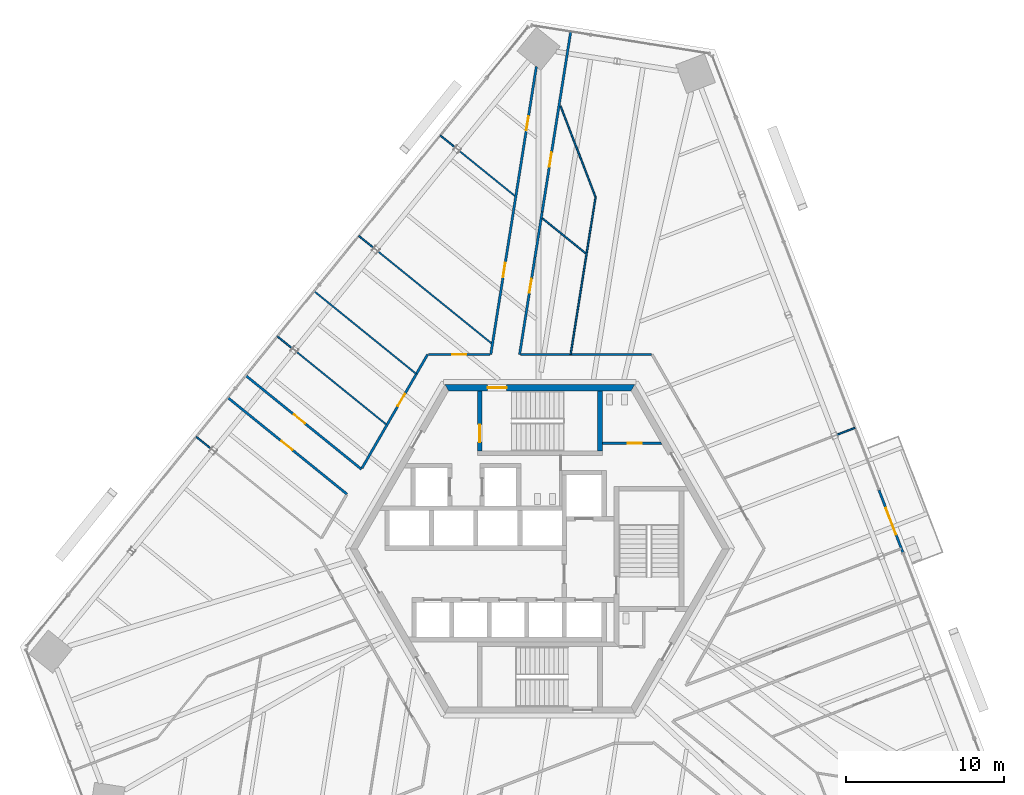
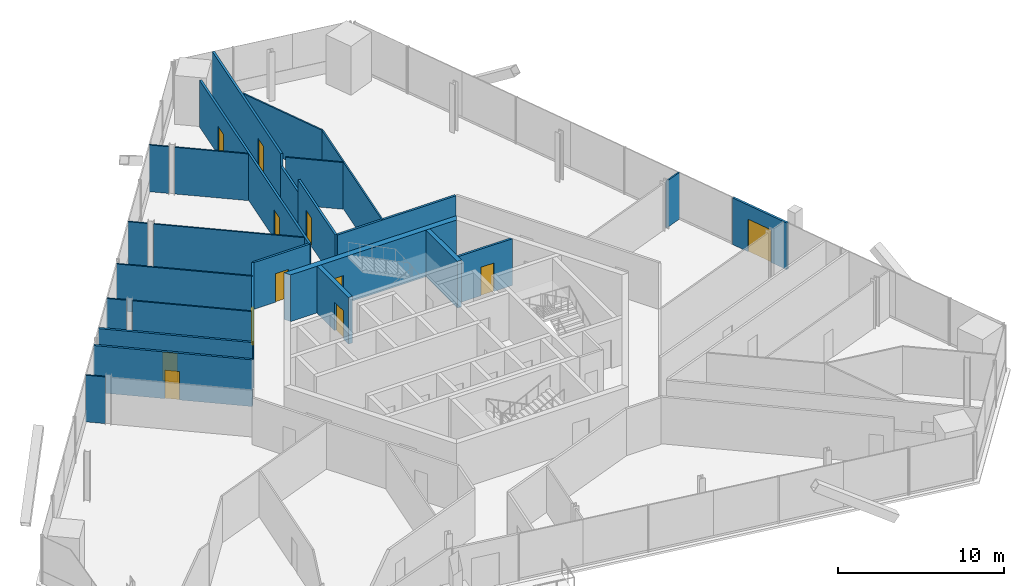
# One storey, part 14 of 19: 26 walls, 12 doors, 12 openings.
"""IFC4 building model written with IfcOpenShell, lengths in metres."""

from ifc_helpers import new_model, si_unit, direction, frame, frame_2d, origin, place, context, subcontext, project, spatial, polyline, rectangle, outline, extrude, source, transform, mapped, material, layer, layer_set, type_object, element, fill, save


model = new_model("IFC4")

# Units and contexts
model_context = context("Model", 3, precision=1e-05, world=origin(), true_north=direction((0.0, 1.0)))
body_context = subcontext(model_context, "Body", "Model", "MODEL_VIEW")
ifc_project = project(units=[si_unit("LENGTHUNIT", "METRE"), si_unit("AREAUNIT", "SQUARE_METRE"), si_unit("VOLUMEUNIT", "CUBIC_METRE"), si_unit("PLANEANGLEUNIT", "RADIAN"), si_unit("MASSUNIT", "GRAM", prefix="KILO")], contexts=[model_context])

# Site, building, storey
site_placement = place(None, origin())
site = spatial("IfcSite", under=ifc_project, at=site_placement, CompositionType="ELEMENT")
building_placement = place(site_placement, origin())
building = spatial("IfcBuilding", under=site, at=building_placement, Name="Triune Harvest Tower", CompositionType="ELEMENT")
storey_placement = place(building_placement, frame((0.0, 0.0, 142.5)))
storey = spatial("IfcBuildingStorey", under=building, at=storey_placement, Name="L36", CompositionType="ELEMENT", Elevation=142.5)

# Wall
ifc_material_1 = material(Name="Gypsum board on steel studs", Category="steel")
ifc_layer_1 = layer(ifc_material_1, 0.10009765625)
ifc_layer_set_1 = layer_set([ifc_layer_1], Name="Gypsum board on steel studs")
wall_type_1 = type_object("IfcWallType", Name="Partition 100 mm", PredefinedType="PARTITIONING", material=ifc_layer_set_1)
wall_1_placement = place(storey_placement, frame((-14.27734375, 16.29541015625, 0.0), z_axis=(0.0, 0.0, 1.0), x_axis=(0.777131453584, -0.629338306358, 0.0)))
element("IfcWall", 1, at=wall_1_placement, inside=storey, type_object=wall_type_1, Name="Partition L36 015", PredefinedType="PARTITIONING", context=body_context, shape_type="SweptSolid", body=[
    extrude(rectangle(XDim=8.322265625, YDim=0.10009765625, at=frame_2d((4.1611328125, 0.0))), origin(), (0.0, 0.0, 1.0), 3.43994140625),
])

# Wall, opening, door
ifc_material_2 = material(Name="Concrete 70 MPa", Category="concrete")
ifc_layer_2 = layer(ifc_material_2, 0.39990234375)
ifc_layer_set_2 = layer_set([ifc_layer_2], Name="Concrete 70 MPa")
wall_type_2 = type_object("IfcWallType", Name="Core wall 400", PredefinedType="SHEAR", material=ifc_layer_set_2)
shared_shape_1 = source(origin(), body_context, "Body", "SweptSolid", [
    extrude(outline(polyline([(-0.115478515625, -0.199951171875), (11.884521484375, -0.199951171875), (11.653564453125, 0.199951171875), (0.115478515625, 0.199951171875), (-0.115478515625, -0.199951171875)])), origin(), (0.0, 0.0, 1.0), 3.43994140625),
])
wall_2_placement = place(storey_placement, frame((5.884521484375, 10.1923828125, 0.0), z_axis=(0.0, 0.0, 1.0), x_axis=(-1.0, 0.0, 0.0)))
wall_2 = element("IfcWall", 2, at=wall_2_placement, inside=storey, type_object=wall_type_2, Name="Hexagon 1 wall", PredefinedType="SHEAR", context=body_context, shape_type="MappedRepresentation", body=[
    mapped(shared_shape_1, transform((0.0, 0.0, 0.0), scale=1.0)),
])
opening_1_placement = place(wall_2_placement, frame((7.984619140625, 0.0, 0.0)))
opening_1 = element("IfcOpeningElement", 3, at=opening_1_placement, cuts=wall_2, Name="Opening CD-S1P", PredefinedType="OPENING", context=body_context, shape_type="SweptSolid", body=[
    extrude(rectangle(XDim=1.199951171875, YDim=2.10009765625, at=frame_2d((0.60009765625, 1.050048828125))), frame((0.0, 0.2099609375, 0.0), z_axis=(0.0, -1.0, 0.0), x_axis=(1.0, 0.0, 0.0)), (0.0, 0.0, 1.0), 0.419921875),
])
ifc_material_3 = material(Name="Steel S235", Category="steel")
door_type_1 = type_object("IfcDoorType", Name="Stair door 1200 FD120", OperationType="SINGLE_SWING_LEFT", PredefinedType="DOOR", material=ifc_material_3)
door_1_placement = place(opening_1_placement, frame((1.199951171875, 0.0, 0.0), z_axis=(0.0, 0.0, 1.0), x_axis=(-1.0, 0.0, 0.0)))
door_1 = element("IfcDoor", 4, at=door_1_placement, inside=storey, type_object=door_type_1, Name="Door CD-S1P", OperationType="SINGLE_SWING_RIGHT", OverallHeight=2.10009765625, OverallWidth=1.199951171875, PredefinedType="DOOR", context=body_context, shape_type="SweptSolid", body=[
    extrude(rectangle(XDim=1.199951171875, YDim=2.10009765625, at=frame_2d((0.60009765625, 1.050048828125))), frame((0.0, 0.02490234375, 0.0), z_axis=(0.0, -1.0, 0.0), x_axis=(1.0, 0.0, 0.0)), (0.0, 0.0, 1.0), 0.050048828125),
])
fill(opening_1, door_1)

ifc_material_4 = material(Name="Concrete 70 MPa", Category="concrete")
ifc_layer_3 = layer(ifc_material_4, 0.300048828125)
ifc_layer_set_3 = layer_set([ifc_layer_3], Name="Concrete 70 MPa")
wall_type_3 = type_object("IfcWallType", Name="Core wall 300", PredefinedType="SHEAR", material=ifc_layer_set_3)
shared_shape_2 = source(origin(), body_context, "Body", "SweptSolid", [
    extrude(outline(polyline([(0.0, -0.14990234375), (0.0, 0.14990234375), (3.80419921875, 0.14990234375), (3.80419921875, -0.14990234375), (0.0, -0.14990234375)])), origin(), (0.0, 0.0, 1.0), 3.43994140625),
])
wall_3_placement = place(storey_placement, frame((-3.800048828125, 6.18994140625, 0.0), z_axis=(0.0, 0.0, 1.0), x_axis=(0.0, 1.0, 0.0)))
wall_3 = element("IfcWall", 5, at=wall_3_placement, inside=storey, type_object=wall_type_3, Name="Stair n west wall", PredefinedType="SHEAR", context=body_context, shape_type="MappedRepresentation", body=[
    mapped(shared_shape_2, transform((0.0, 0.0, 0.0), scale=1.0)),
])
opening_2_placement = place(wall_3_placement, frame((0.56005859375, 0.0, 0.0)))
opening_2 = element("IfcOpeningElement", 6, at=opening_2_placement, cuts=wall_3, Name="Opening CD-S1L", PredefinedType="OPENING", context=body_context, shape_type="SweptSolid", body=[
    extrude(rectangle(XDim=1.10009765625, YDim=2.10009765625, at=frame_2d((0.550048828125, 1.050048828125))), frame((0.0, 0.16015625, 0.0), z_axis=(0.0, -1.0, 0.0), x_axis=(1.0, 0.0, 0.0)), (0.0, 0.0, 1.0), 0.320068359375),
])
ifc_material_5 = material(Name="Steel S235", Category="steel")
door_type_2 = type_object("IfcDoorType", Name="Stair door 1100 FD120", OperationType="SINGLE_SWING_LEFT", PredefinedType="DOOR", material=ifc_material_5)
door_2_placement = place(opening_2_placement, frame((1.10009765625, 0.0, 0.0), z_axis=(0.0, 0.0, 1.0), x_axis=(-1.0, 0.0, 0.0)))
door_2 = element("IfcDoor", 7, at=door_2_placement, inside=storey, type_object=door_type_2, Name="Door CD-S1L", OperationType="SINGLE_SWING_RIGHT", OverallHeight=2.10009765625, OverallWidth=1.10009765625, PredefinedType="DOOR", context=body_context, shape_type="SweptSolid", body=[
    extrude(rectangle(XDim=1.10009765625, YDim=2.10009765625, at=frame_2d((0.550048828125, 1.050048828125))), frame((0.0, 0.02490234375, 0.0), z_axis=(0.0, -1.0, 0.0), x_axis=(1.0, 0.0, 0.0)), (0.0, 0.0, 1.0), 0.050048828125),
])
fill(opening_2, door_2)

# Wall
wall_4_placement = place(storey_placement, frame((3.800048828125, 6.18994140625, 0.0), z_axis=(0.0, 0.0, 1.0), x_axis=(0.0, 1.0, 0.0)))
element("IfcWall", 8, at=wall_4_placement, inside=storey, type_object=wall_type_3, Name="Stair n east wall", PredefinedType="SHEAR", context=body_context, shape_type="MappedRepresentation", body=[
    mapped(shared_shape_2, transform((0.0, 0.0, 0.0), scale=1.0)),
])

# Wall, opening, door
ifc_material_6 = material(Name="Concrete masonry unit", Category="masonry")
ifc_layer_4 = layer(ifc_material_6, 0.14990234375)
ifc_layer_set_4 = layer_set([ifc_layer_4], Name="Concrete masonry unit")
wall_type_4 = type_object("IfcWallType", Name="Block partition 150 unrated", PredefinedType="PARTITIONING", material=ifc_layer_set_4)
shared_shape_3 = source(origin(), body_context, "Body", "SweptSolid", [
    extrude(outline(polyline([(0.0, -0.074951171875), (0.0, 0.074951171875), (3.693359375, 0.074951171875), (3.77978515625, -0.074951171875), (0.0, -0.074951171875)])), origin(), (0.0, 0.0, 1.0), 3.43994140625),
])
wall_5_placement = place(storey_placement, frame((3.949951171875, 6.675048828125, 0.0), z_axis=(0.0, 0.0, 1.0), x_axis=(1.0, 0.0, 0.0)))
wall_5 = element("IfcWall", 9, at=wall_5_placement, inside=storey, type_object=wall_type_4, Name="Wc women south wall", PredefinedType="PARTITIONING", context=body_context, shape_type="MappedRepresentation", body=[
    mapped(shared_shape_3, transform((0.0, 0.0, 0.0), scale=1.0)),
])
opening_3_placement = place(wall_5_placement, frame((1.60009765625, 0.0, 0.0)))
opening_3 = element("IfcOpeningElement", 10, at=opening_3_placement, cuts=wall_5, Name="Opening CD-WW", PredefinedType="OPENING", context=body_context, shape_type="SweptSolid", body=[
    extrude(rectangle(XDim=0.89990234375, YDim=2.10009765625, at=frame_2d((0.449951171875, 1.050048828125))), frame((0.0, 0.0849609375, 0.0), z_axis=(0.0, -1.0, 0.0), x_axis=(1.0, 0.0, 0.0)), (0.0, 0.0, 1.0), 0.169921875),
])
ifc_material_7 = material(Name="Timber C24", Category="wood")
door_type_3 = type_object("IfcDoorType", Name="WC door 900", OperationType="SINGLE_SWING_LEFT", PredefinedType="DOOR", material=ifc_material_7)
door_3_placement = place(opening_3_placement, origin())
door_3 = element("IfcDoor", 11, at=door_3_placement, inside=storey, type_object=door_type_3, Name="Door CD-WW", OperationType="SINGLE_SWING_LEFT", OverallHeight=2.10009765625, OverallWidth=0.89990234375, PredefinedType="DOOR", context=body_context, shape_type="SweptSolid", body=[
    extrude(rectangle(XDim=0.89990234375, YDim=2.10009765625, at=frame_2d((0.449951171875, 1.050048828125))), frame((0.0, 0.02490234375, 0.0), z_axis=(0.0, -1.0, 0.0), x_axis=(1.0, 0.0, 0.0)), (0.0, 0.0, 1.0), 0.050048828125),
])
fill(opening_3, door_3)

ifc_material_8 = material(Name="Aluminium bronze anodised", Category="aluminium")
ifc_layer_5 = layer(ifc_material_8, 0.14990234375)
ifc_layer_set_5 = layer_set([ifc_layer_5], Name="Aluminium bronze anodised")
wall_type_5 = type_object("IfcWallType", Name="WW-2 balcony window wall", PredefinedType="ELEMENTEDWALL", material=ifc_layer_set_5)
shared_shape_4 = source(origin(), body_context, "Body", "SweptSolid", [
    extrude(rectangle(XDim=4.22119140625, YDim=0.14990234375, at=frame_2d((2.110595703125, 0.0))), origin(), (0.0, 0.0, 1.0), 3.43994140625),
])
wall_6_placement = place(storey_placement, frame((21.4453125, 3.710693359375, 0.0), z_axis=(0.0, 0.0, 1.0), x_axis=(0.358351150788, -0.933586874762, 0.0)))
wall_6 = element("IfcWall", 12, at=wall_6_placement, inside=storey, type_object=wall_type_5, Name="WW-2 B4-F1 L36.5", PredefinedType="ELEMENTEDWALL", context=body_context, shape_type="MappedRepresentation", body=[
    mapped(shared_shape_4, transform((0.0, 0.0, 0.0), scale=1.0)),
])
opening_4_placement = place(wall_6_placement, frame((1.21044921875, 0.0, 0.0)))
opening_4 = element("IfcOpeningElement", 13, at=opening_4_placement, cuts=wall_6, Name="Opening L36-E01", PredefinedType="OPENING", context=body_context, shape_type="SweptSolid", body=[
    extrude(rectangle(XDim=1.800048828125, YDim=2.39990234375, at=frame_2d((0.89990234375, 1.199951171875))), frame((0.0, 0.0849609375, 0.0), z_axis=(0.0, -1.0, 0.0), x_axis=(1.0, 0.0, 0.0)), (0.0, 0.0, 1.0), 0.169921875),
])
ifc_material_9 = material(Name="Glass", Category="glass")
door_type_4 = type_object("IfcDoorType", Name="DB-1 balcony door 1800 x 2400", OperationType="DOUBLE_DOOR_SINGLE_SWING", PredefinedType="DOOR", material=ifc_material_9)
door_4_placement = place(opening_4_placement, origin())
door_4 = element("IfcDoor", 14, at=door_4_placement, inside=storey, type_object=door_type_4, Name="Door L36-E01", OperationType="DOUBLE_DOOR_SINGLE_SWING", OverallHeight=2.39990234375, OverallWidth=1.800048828125, PredefinedType="DOOR", context=body_context, shape_type="SweptSolid", body=[
    extrude(rectangle(XDim=1.800048828125, YDim=2.39990234375, at=frame_2d((0.89990234375, 1.199951171875))), frame((0.0, 0.02490234375, 0.0), z_axis=(0.0, -1.0, 0.0), x_axis=(1.0, 0.0, 0.0)), (0.0, 0.0, 1.0), 0.050048828125),
])
fill(opening_4, door_4)

# Walls
shared_shape_5 = source(origin(), body_context, "Body", "SweptSolid", [
    extrude(rectangle(XDim=6.1650390625, YDim=0.10009765625, at=frame_2d((3.08251953125, 0.0))), origin(), (0.0, 0.0, 1.0), 3.43994140625),
])
wall_7_placement = place(storey_placement, frame((1.3095703125, 28.00439453125, 0.0), z_axis=(0.0, 0.0, 1.0), x_axis=(0.358347425977, -0.933588304498, 0.0)))
element("IfcWall", 15, at=wall_7_placement, inside=storey, type_object=wall_type_1, Name="Partition L36 001", PredefinedType="PARTITIONING", context=body_context, shape_type="MappedRepresentation", body=[
    mapped(shared_shape_5, transform((0.0, 0.0, 0.0), scale=1.0)),
])
shared_shape_6 = source(origin(), body_context, "Body", "SweptSolid", [
    extrude(rectangle(XDim=1.212158203125, YDim=0.10009765625, at=frame_2d((0.60595703125, 0.0))), origin(), (0.0, 0.0, 1.0), 3.43994140625),
])
for number, where, z_axis, x_axis, name in (
    (16, (-21.7373046875, 7.083251953125, 0.0), (0.0, 0.0, 1.0), (0.777061908225, -0.629424173977, 0.0), "Partition L36 005"),
    (17, (-11.447998046875, 19.78955078125, 0.0), (0.0, 0.0, 1.0), (0.777240180322, -0.629204022629, 0.0), "Partition L36 016"),
    (18, (-6.303466796875, 26.142578125, 0.0), (0.0, 0.0, 1.0), (0.777240180322, -0.629204022629, 0.0), "Partition L36 018"),
    (19, (18.801025390625, 7.216796875, 0.0), (0.0, 0.0, 1.0), (0.933594564159, 0.358331117506, 0.0), "Partition L36 036"),
):
    element("IfcWall", number, at=place(storey_placement, frame(where, z_axis=z_axis, x_axis=x_axis)), inside=storey, type_object=wall_type_1, Name=name, PredefinedType="PARTITIONING", context=body_context, shape_type="MappedRepresentation", body=[
        mapped(shared_shape_6, transform((0.0, 0.0, 0.0), scale=1.0)),
    ])

# Wall, opening, door
ifc_material_10 = material(Name="Gypsum board on steel studs", Category="steel")
ifc_layer_6 = layer(ifc_material_10, 0.14990234375)
ifc_layer_set_6 = layer_set([ifc_layer_6], Name="Gypsum board on steel studs")
wall_type_6 = type_object("IfcWallType", Name="Fire Partition 150 mm", PredefinedType="PARTITIONING", material=ifc_layer_set_6)
shared_shape_7 = source(origin(), body_context, "Body", "SweptSolid", [
    extrude(rectangle(XDim=9.695068359375, YDim=0.14990234375, at=frame_2d((4.84765625, 0.0))), origin(), (0.0, 0.0, 1.0), 3.43994140625),
])
wall_8_placement = place(storey_placement, frame((-19.731201171875, 9.560302734375, 0.0), z_axis=(0.0, 0.0, 1.0), x_axis=(0.777142821496, -0.629324268559, 0.0)))
wall_8 = element("IfcWall", 20, at=wall_8_placement, inside=storey, type_object=wall_type_6, Name="Partition L36 007", PredefinedType="PARTITIONING", context=body_context, shape_type="MappedRepresentation", body=[
    mapped(shared_shape_7, transform((0.0, 0.0, 0.0), scale=1.0)),
])
opening_5_placement = place(wall_8_placement, frame((4.35009765625, 0.0, 0.0)))
opening_5 = element("IfcOpeningElement", 21, at=opening_5_placement, cuts=wall_8, Name="Opening L36-012", PredefinedType="OPENING", context=body_context, shape_type="SweptSolid", body=[
    extrude(rectangle(XDim=0.89990234375, YDim=2.10009765625, at=frame_2d((0.449951171875, 1.050048828125))), frame((0.0, 0.0849609375, 0.0), z_axis=(0.0, -1.0, 0.0), x_axis=(1.0, 0.0, 0.0)), (0.0, 0.0, 1.0), 0.169921875),
])
ifc_material_11 = material(Name="Timber and steel door set", Category="steel")
door_type_5 = type_object("IfcDoorType", Name="Single leaf door FD30 right hand 900 x 2100", OperationType="SINGLE_SWING_RIGHT", PredefinedType="DOOR", material=ifc_material_11)
door_5_placement = place(opening_5_placement, origin())
door_5 = element("IfcDoor", 22, at=door_5_placement, inside=storey, type_object=door_type_5, Name="Door L36-012 Meeting Room 36.12", OperationType="SINGLE_SWING_RIGHT", OverallHeight=2.10009765625, OverallWidth=0.89990234375, PredefinedType="DOOR", context=body_context, shape_type="SweptSolid", body=[
    extrude(rectangle(XDim=0.89990234375, YDim=2.10009765625, at=frame_2d((0.449951171875, 1.050048828125))), frame((0.0, 0.02490234375, 0.0), z_axis=(0.0, -1.0, 0.0), x_axis=(1.0, 0.0, 0.0)), (0.0, 0.0, 1.0), 0.050048828125),
])
fill(opening_5, door_5)

shared_shape_8 = source(origin(), body_context, "Body", "SweptSolid", [
    extrude(rectangle(XDim=9.409912109375, YDim=0.14990234375, at=frame_2d((4.705078125, 0.0))), origin(), (0.0, 0.0, 1.0), 3.43994140625),
])
wall_9_placement = place(storey_placement, frame((-18.5986328125, 10.958984375, 0.0), z_axis=(0.0, 0.0, 1.0), x_axis=(0.777149399254, -0.6293161457, 0.0)))
wall_9 = element("IfcWall", 23, at=wall_9_placement, inside=storey, type_object=wall_type_6, Name="Partition L36 009", PredefinedType="PARTITIONING", context=body_context, shape_type="MappedRepresentation", body=[
    mapped(shared_shape_8, transform((0.0, 0.0, 0.0), scale=1.0)),
])
opening_6_placement = place(wall_9_placement, frame((3.914794921875, 0.0, 0.0)))
opening_6 = element("IfcOpeningElement", 24, at=opening_6_placement, cuts=wall_9, Name="Opening L36-013", PredefinedType="OPENING", context=body_context, shape_type="SweptSolid", body=[
    extrude(rectangle(XDim=0.89990234375, YDim=2.10009765625, at=frame_2d((0.449951171875, 1.050048828125))), frame((0.0, 0.0849609375, 0.0), z_axis=(0.0, -1.0, 0.0), x_axis=(1.0, 0.0, 0.0)), (0.0, 0.0, 1.0), 0.169921875),
])
ifc_material_12 = material(Name="Timber and steel door set", Category="steel")
door_type_6 = type_object("IfcDoorType", Name="Single leaf door FD30 left hand 900 x 2100", OperationType="SINGLE_SWING_LEFT", PredefinedType="DOOR", material=ifc_material_12)
door_6_placement = place(opening_6_placement, origin())
door_6 = element("IfcDoor", 25, at=door_6_placement, inside=storey, type_object=door_type_6, Name="Door L36-013 Office 36.13", OperationType="SINGLE_SWING_LEFT", OverallHeight=2.10009765625, OverallWidth=0.89990234375, PredefinedType="DOOR", context=body_context, shape_type="SweptSolid", body=[
    extrude(rectangle(XDim=0.89990234375, YDim=2.10009765625, at=frame_2d((0.449951171875, 1.050048828125))), frame((0.0, 0.02490234375, 0.0), z_axis=(0.0, -1.0, 0.0), x_axis=(1.0, 0.0, 0.0)), (0.0, 0.0, 1.0), 0.050048828125),
])
fill(opening_6, door_6)

# Walls
shared_shape_9 = source(origin(), body_context, "Body", "SweptSolid", [
    extrude(rectangle(XDim=1.2119140625, YDim=0.10009765625, at=frame_2d((0.60595703125, 0.0))), origin(), (0.0, 0.0, 1.0), 3.43994140625),
])
wall_10_placement = place(storey_placement, frame((-16.592529296875, 13.436279296875, 0.0), z_axis=(0.0, 0.0, 1.0), x_axis=(0.777160423943, -0.629302530948, 0.0)))
element("IfcWall", 26, at=wall_10_placement, inside=storey, type_object=wall_type_1, Name="Partition L36 011", PredefinedType="PARTITIONING", context=body_context, shape_type="MappedRepresentation", body=[
    mapped(shared_shape_9, transform((0.0, 0.0, 0.0), scale=1.0)),
])
shared_shape_10 = source(origin(), body_context, "Body", "SweptSolid", [
    extrude(rectangle(XDim=7.279541015625, YDim=0.10009765625, at=frame_2d((3.6396484375, 0.0))), origin(), (0.0, 0.0, 1.0), 3.43994140625),
])
wall_11_placement = place(storey_placement, frame((-15.3759765625, 12.451171875, 0.0), z_axis=(0.0, 0.0, 1.0), x_axis=(0.777164420304, -0.629297595589, 0.0)))
element("IfcWall", 27, at=wall_11_placement, inside=storey, type_object=wall_type_1, Name="Partition L36 012", PredefinedType="PARTITIONING", context=body_context, shape_type="MappedRepresentation", body=[
    mapped(shared_shape_10, transform((0.0, 0.0, 0.0), scale=1.0)),
])
shared_shape_11 = source(origin(), body_context, "Body", "SweptSolid", [
    extrude(rectangle(XDim=9.21630859375, YDim=0.10009765625, at=frame_2d((4.608154296875, 0.0))), origin(), (0.0, 0.0, 1.0), 3.43994140625),
])
wall_12_placement = place(storey_placement, frame((-10.231201171875, 18.804443359375, 0.0), z_axis=(0.0, 0.0, 1.0), x_axis=(0.777141222029, -0.629326243711, 0.0)))
element("IfcWall", 28, at=wall_12_placement, inside=storey, type_object=wall_type_1, Name="Partition L36 017", PredefinedType="PARTITIONING", context=body_context, shape_type="MappedRepresentation", body=[
    mapped(shared_shape_11, transform((0.0, 0.0, 0.0), scale=1.0)),
])
shared_shape_12 = source(origin(), body_context, "Body", "SweptSolid", [
    extrude(rectangle(XDim=4.496337890625, YDim=0.10009765625, at=frame_2d((2.248046875, 0.0))), origin(), (0.0, 0.0, 1.0), 3.43994140625),
])
wall_13_placement = place(storey_placement, frame((-5.086669921875, 25.157470703125, 0.0), z_axis=(0.0, 0.0, 1.0), x_axis=(0.777157615615, -0.62930599909, 0.0)))
element("IfcWall", 29, at=wall_13_placement, inside=storey, type_object=wall_type_1, Name="Partition L36 019", PredefinedType="PARTITIONING", context=body_context, shape_type="MappedRepresentation", body=[
    mapped(shared_shape_12, transform((0.0, 0.0, 0.0), scale=1.0)),
])
shared_shape_13 = source(origin(), body_context, "Body", "SweptSolid", [
    extrude(rectangle(XDim=3.53076171875, YDim=0.10009765625, at=frame_2d((1.765380859375, 0.0))), origin(), (0.0, 0.0, 1.0), 3.43994140625),
])
wall_14_placement = place(storey_placement, frame((0.1630859375, 20.906494140625, 0.0), z_axis=(0.0, 0.0, 1.0), x_axis=(0.777151465332, -0.629313594269, 0.0)))
element("IfcWall", 30, at=wall_14_placement, inside=storey, type_object=wall_type_1, Name="Partition L36 020", PredefinedType="PARTITIONING", context=body_context, shape_type="MappedRepresentation", body=[
    mapped(shared_shape_13, transform((0.0, 0.0, 0.0), scale=1.0)),
])

# Wall, opening, door
shared_shape_14 = source(origin(), body_context, "Body", "SweptSolid", [
    extrude(rectangle(XDim=3.89453125, YDim=0.14990234375, at=frame_2d((1.947265625, 0.0))), origin(), (0.0, 0.0, 1.0), 3.43994140625),
])
wall_15_placement = place(storey_placement, frame((-7.047119140625, 12.292236328125, 0.0), z_axis=(0.0, 0.0, 1.0), x_axis=(1.0, 0.0, 0.0)))
wall_15 = element("IfcWall", 31, at=wall_15_placement, inside=storey, type_object=wall_type_6, Name="Partition L36 023", PredefinedType="PARTITIONING", context=body_context, shape_type="MappedRepresentation", body=[
    mapped(shared_shape_14, transform((0.0, 0.0, 0.0), scale=1.0)),
])
opening_7_placement = place(wall_15_placement, frame((1.494384765625, 0.0, 0.0)))
opening_7 = element("IfcOpeningElement", 32, at=opening_7_placement, cuts=wall_15, Name="Opening L36-011", PredefinedType="OPENING", context=body_context, shape_type="SweptSolid", body=[
    extrude(rectangle(XDim=0.89990234375, YDim=2.10009765625, at=frame_2d((0.449951171875, 1.050048828125))), frame((0.0, 0.0849609375, 0.0), z_axis=(0.0, -1.0, 0.0), x_axis=(1.0, 0.0, 0.0)), (0.0, 0.0, 1.0), 0.169921875),
])
door_7_placement = place(opening_7_placement, origin())
door_7 = element("IfcDoor", 33, at=door_7_placement, inside=storey, type_object=door_type_6, Name="Door L36-011 Pantry 36.11", OperationType="SINGLE_SWING_LEFT", OverallHeight=2.10009765625, OverallWidth=0.89990234375, PredefinedType="DOOR", context=body_context, shape_type="SweptSolid", body=[
    extrude(rectangle(XDim=0.89990234375, YDim=2.10009765625, at=frame_2d((0.449951171875, 1.050048828125))), frame((0.0, 0.02490234375, 0.0), z_axis=(0.0, -1.0, 0.0), x_axis=(1.0, 0.0, 0.0)), (0.0, 0.0, 1.0), 0.050048828125),
])
fill(opening_7, door_7)

# Wall
shared_shape_15 = source(origin(), body_context, "Body", "SweptSolid", [
    extrude(rectangle(XDim=8.25732421875, YDim=0.14990234375, at=frame_2d((4.128662109375, 0.0))), origin(), (0.0, 0.0, 1.0), 3.43994140625),
])
wall_16_placement = place(storey_placement, frame((-1.210205078125, 12.292236328125, 0.0), z_axis=(0.0, 0.0, 1.0), x_axis=(1.0, 0.0, 0.0)))
element("IfcWall", 34, at=wall_16_placement, inside=storey, type_object=wall_type_6, Name="Partition L36 024", PredefinedType="PARTITIONING", context=body_context, shape_type="MappedRepresentation", body=[
    mapped(shared_shape_15, transform((0.0, 0.0, 0.0), scale=1.0)),
])

# Wall, opening, door
shared_shape_16 = source(origin(), body_context, "Body", "SweptSolid", [
    extrude(rectangle(XDim=8.3076171875, YDim=0.14990234375, at=frame_2d((4.15380859375, 0.0))), origin(), (0.0, 0.0, 1.0), 3.43994140625),
])
wall_17_placement = place(storey_placement, frame((-11.25048828125, 5.097900390625, 0.0), z_axis=(0.0, 0.0, 1.0), x_axis=(0.500001430823, 0.866024577697, 0.0)))
wall_17 = element("IfcWall", 35, at=wall_17_placement, inside=storey, type_object=wall_type_6, Name="Partition L36 040", PredefinedType="PARTITIONING", context=body_context, shape_type="MappedRepresentation", body=[
    mapped(shared_shape_16, transform((0.0, 0.0, 0.0), scale=1.0)),
])
opening_8_placement = place(wall_17_placement, frame((4.53173828125, 0.0, 0.0)))
opening_8 = element("IfcOpeningElement", 36, at=opening_8_placement, cuts=wall_17, Name="Opening L36-010", PredefinedType="OPENING", context=body_context, shape_type="SweptSolid", body=[
    extrude(rectangle(XDim=0.89990234375, YDim=2.10009765625, at=frame_2d((0.449951171875, 1.050048828125))), frame((0.0, 0.0849609375, 0.0), z_axis=(0.0, -1.0, 0.0), x_axis=(1.0, 0.0, 0.0)), (0.0, 0.0, 1.0), 0.169921875),
])
door_8_placement = place(opening_8_placement, origin())
door_8 = element("IfcDoor", 37, at=door_8_placement, inside=storey, type_object=door_type_5, Name="Door L36-010 Project Room 36.10", OperationType="SINGLE_SWING_RIGHT", OverallHeight=2.10009765625, OverallWidth=0.89990234375, PredefinedType="DOOR", context=body_context, shape_type="SweptSolid", body=[
    extrude(rectangle(XDim=0.89990234375, YDim=2.10009765625, at=frame_2d((0.449951171875, 1.050048828125))), frame((0.0, 0.02490234375, 0.0), z_axis=(0.0, -1.0, 0.0), x_axis=(1.0, 0.0, 0.0)), (0.0, 0.0, 1.0), 0.050048828125),
])
fill(opening_8, door_8)

# Wall
shared_shape_17 = source(origin(), body_context, "Body", "SweptSolid", [
    extrude(rectangle(XDim=10.0712890625, YDim=0.10009765625, at=frame_2d((5.03564453125, 0.0))), origin(), (0.0, 0.0, 1.0), 3.43994140625),
])
wall_18_placement = place(storey_placement, frame((1.947021484375, 12.292236328125, 0.0), z_axis=(0.0, 0.0, 1.0), x_axis=(0.15642936564, 0.987689148247, 0.0)))
element("IfcWall", 38, at=wall_18_placement, inside=storey, type_object=wall_type_1, Name="Partition L36 043", PredefinedType="PARTITIONING", context=body_context, shape_type="MappedRepresentation", body=[
    mapped(shared_shape_17, transform((0.0, 0.0, 0.0), scale=1.0)),
])

# Wall, opening, door
shared_shape_18 = source(origin(), body_context, "Body", "SweptSolid", [
    extrude(rectangle(XDim=6.223388671875, YDim=0.14990234375, at=frame_2d((3.11181640625, 0.0))), origin(), (0.0, 0.0, 1.0), 3.43994140625),
])
wall_19_placement = place(storey_placement, frame((-1.280517578125, 12.292236328125, 0.0), z_axis=(0.0, 0.0, 1.0), x_axis=(0.156448048694, 0.98768618906, 0.0)))
wall_19 = element("IfcWall", 39, at=wall_19_placement, inside=storey, type_object=wall_type_6, Name="Partition L36 045", PredefinedType="PARTITIONING", context=body_context, shape_type="MappedRepresentation", body=[
    mapped(shared_shape_18, transform((0.0, 0.0, 0.0), scale=1.0)),
])
opening_9_placement = place(wall_19_placement, frame((3.949951171875, 0.0, 0.0)))
opening_9 = element("IfcOpeningElement", 40, at=opening_9_placement, cuts=wall_19, Name="Opening L36-009", PredefinedType="OPENING", context=body_context, shape_type="SweptSolid", body=[
    extrude(rectangle(XDim=0.89990234375, YDim=2.10009765625, at=frame_2d((0.449951171875, 1.050048828125))), frame((0.0, 0.0849609375, 0.0), z_axis=(0.0, -1.0, 0.0), x_axis=(1.0, 0.0, 0.0)), (0.0, 0.0, 1.0), 0.169921875),
])
door_9_placement = place(opening_9_placement, origin())
door_9 = element("IfcDoor", 41, at=door_9_placement, inside=storey, type_object=door_type_5, Name="Door L36-009 Office 36.09", OperationType="SINGLE_SWING_RIGHT", OverallHeight=2.10009765625, OverallWidth=0.89990234375, PredefinedType="DOOR", context=body_context, shape_type="SweptSolid", body=[
    extrude(rectangle(XDim=0.89990234375, YDim=2.10009765625, at=frame_2d((0.449951171875, 1.050048828125))), frame((0.0, 0.02490234375, 0.0), z_axis=(0.0, -1.0, 0.0), x_axis=(1.0, 0.0, 0.0)), (0.0, 0.0, 1.0), 0.050048828125),
])
fill(opening_9, door_9)

# Wall
shared_shape_19 = source(origin(), body_context, "Body", "SweptSolid", [
    extrude(rectangle(XDim=2.91162109375, YDim=0.14990234375, at=frame_2d((1.455810546875, 0.0))), origin(), (0.0, 0.0, 1.0), 2.51806640625),
])
wall_20_placement = place(storey_placement, frame((-0.306884765625, 18.43896484375, 0.0), z_axis=(0.0, 0.0, 1.0), x_axis=(0.156384540277, 0.987696246607, 0.0)))
element("IfcWall", 42, at=wall_20_placement, inside=storey, type_object=wall_type_6, Name="Partition L36 045a", PredefinedType="PARTITIONING", context=body_context, shape_type="MappedRepresentation", body=[
    mapped(shared_shape_19, transform((0.0, 0.0, 0.0), scale=1.0)),
])

# Wall, opening, door
shared_shape_20 = source(origin(), body_context, "Body", "SweptSolid", [
    extrude(rectangle(XDim=11.533447265625, YDim=0.14990234375, at=frame_2d((5.7666015625, 0.0))), origin(), (0.0, 0.0, 1.0), 3.43994140625),
])
wall_21_placement = place(storey_placement, frame((0.1484375, 21.314697265625, 0.0), z_axis=(0.0, 0.0, 1.0), x_axis=(0.156453884379, 0.987685264678, 0.0)))
wall_21 = element("IfcWall", 43, at=wall_21_placement, inside=storey, type_object=wall_type_6, Name="Partition L36 045b", PredefinedType="PARTITIONING", context=body_context, shape_type="MappedRepresentation", body=[
    mapped(shared_shape_20, transform((0.0, 0.0, 0.0), scale=1.0)),
])
opening_10_placement = place(wall_21_placement, frame((2.89404296875, 0.0, 0.0)))
opening_10 = element("IfcOpeningElement", 44, at=opening_10_placement, cuts=wall_21, Name="Opening L36-007", PredefinedType="OPENING", context=body_context, shape_type="SweptSolid", body=[
    extrude(rectangle(XDim=0.89990234375, YDim=2.10009765625, at=frame_2d((0.449951171875, 1.050048828125))), frame((0.0, 0.0849609375, 0.0), z_axis=(0.0, -1.0, 0.0), x_axis=(1.0, 0.0, 0.0)), (0.0, 0.0, 1.0), 0.169921875),
])
door_10_placement = place(opening_10_placement, origin())
door_10 = element("IfcDoor", 45, at=door_10_placement, inside=storey, type_object=door_type_6, Name="Door L36-007 Open Office 36.07", OperationType="SINGLE_SWING_LEFT", OverallHeight=2.10009765625, OverallWidth=0.89990234375, PredefinedType="DOOR", context=body_context, shape_type="SweptSolid", body=[
    extrude(rectangle(XDim=0.89990234375, YDim=2.10009765625, at=frame_2d((0.449951171875, 1.050048828125))), frame((0.0, 0.02490234375, 0.0), z_axis=(0.0, -1.0, 0.0), x_axis=(1.0, 0.0, 0.0)), (0.0, 0.0, 1.0), 0.050048828125),
])
fill(opening_10, door_10)

# Wall, openings, doors
shared_shape_21 = source(origin(), body_context, "Body", "SweptSolid", [
    extrude(rectangle(XDim=18.4287109375, YDim=0.14990234375, at=frame_2d((9.21435546875, 0.0))), origin(), (0.0, 0.0, 1.0), 3.43994140625),
])
wall_22_placement = place(storey_placement, frame((-3.102783203125, 12.29248046875, 0.0), z_axis=(0.0, 0.0, 1.0), x_axis=(0.156416992947, 0.987691107744, 0.0)))
wall_22 = element("IfcWall", 46, at=wall_22_placement, inside=storey, type_object=wall_type_6, Name="Partition L36 047", PredefinedType="PARTITIONING", context=body_context, shape_type="MappedRepresentation", body=[
    mapped(shared_shape_21, transform((0.0, 0.0, 0.0), scale=1.0)),
])
opening_11_placement = place(wall_22_placement, frame((14.349609375, 0.0, 0.0)))
opening_11 = element("IfcOpeningElement", 47, at=opening_11_placement, cuts=wall_22, Name="Opening L36-006", PredefinedType="OPENING", context=body_context, shape_type="SweptSolid", body=[
    extrude(rectangle(XDim=0.89990234375, YDim=2.10009765625, at=frame_2d((0.449951171875, 1.050048828125))), frame((0.0, 0.0849609375, 0.0), z_axis=(0.0, -1.0, 0.0), x_axis=(1.0, 0.0, 0.0)), (0.0, 0.0, 1.0), 0.169921875),
])
opening_12_placement = place(wall_22_placement, frame((4.952880859375, 0.0, 0.0)))
opening_12 = element("IfcOpeningElement", 48, at=opening_12_placement, cuts=wall_22, Name="Opening L36-008", PredefinedType="OPENING", context=body_context, shape_type="SweptSolid", body=[
    extrude(rectangle(XDim=0.89990234375, YDim=2.10009765625, at=frame_2d((0.449951171875, 1.050048828125))), frame((0.0, 0.0849609375, 0.0), z_axis=(0.0, -1.0, 0.0), x_axis=(1.0, 0.0, 0.0)), (0.0, 0.0, 1.0), 0.169921875),
])
door_11_placement = place(opening_12_placement, origin())
door_11 = element("IfcDoor", 49, at=door_11_placement, inside=storey, type_object=door_type_6, Name="Door L36-008 Office 36.08", OperationType="SINGLE_SWING_LEFT", OverallHeight=2.10009765625, OverallWidth=0.89990234375, PredefinedType="DOOR", context=body_context, shape_type="SweptSolid", body=[
    extrude(rectangle(XDim=0.89990234375, YDim=2.10009765625, at=frame_2d((0.449951171875, 1.050048828125))), frame((0.0, 0.02490234375, 0.0), z_axis=(0.0, -1.0, 0.0), x_axis=(1.0, 0.0, 0.0)), (0.0, 0.0, 1.0), 0.050048828125),
])
fill(opening_12, door_11)
door_12_placement = place(opening_11_placement, origin())
door_12 = element("IfcDoor", 50, at=door_12_placement, inside=storey, type_object=door_type_5, Name="Door L36-006 Open Office 36.06", OperationType="SINGLE_SWING_RIGHT", OverallHeight=2.10009765625, OverallWidth=0.89990234375, PredefinedType="DOOR", context=body_context, shape_type="SweptSolid", body=[
    extrude(rectangle(XDim=0.89990234375, YDim=2.10009765625, at=frame_2d((0.449951171875, 1.050048828125))), frame((0.0, 0.02490234375, 0.0), z_axis=(0.0, -1.0, 0.0), x_axis=(1.0, 0.0, 0.0)), (0.0, 0.0, 1.0), 0.050048828125),
])
fill(opening_11, door_12)

save(model, "model.ifc")
